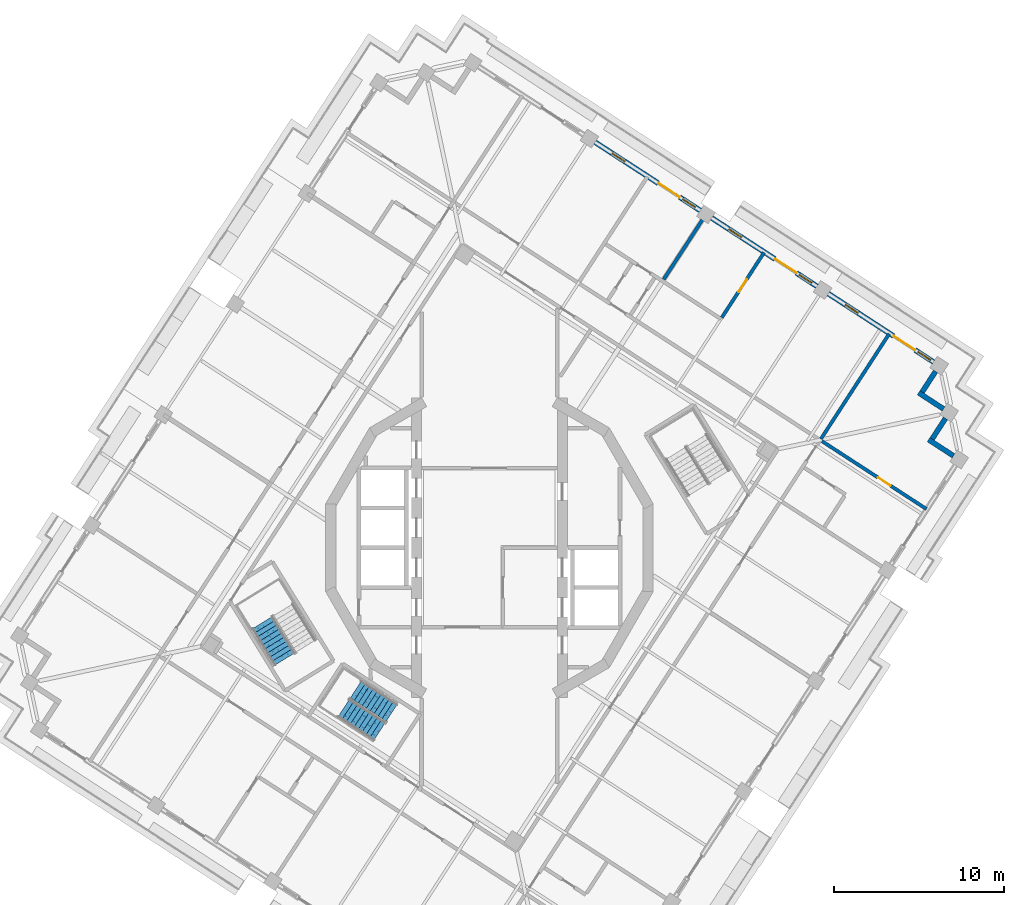
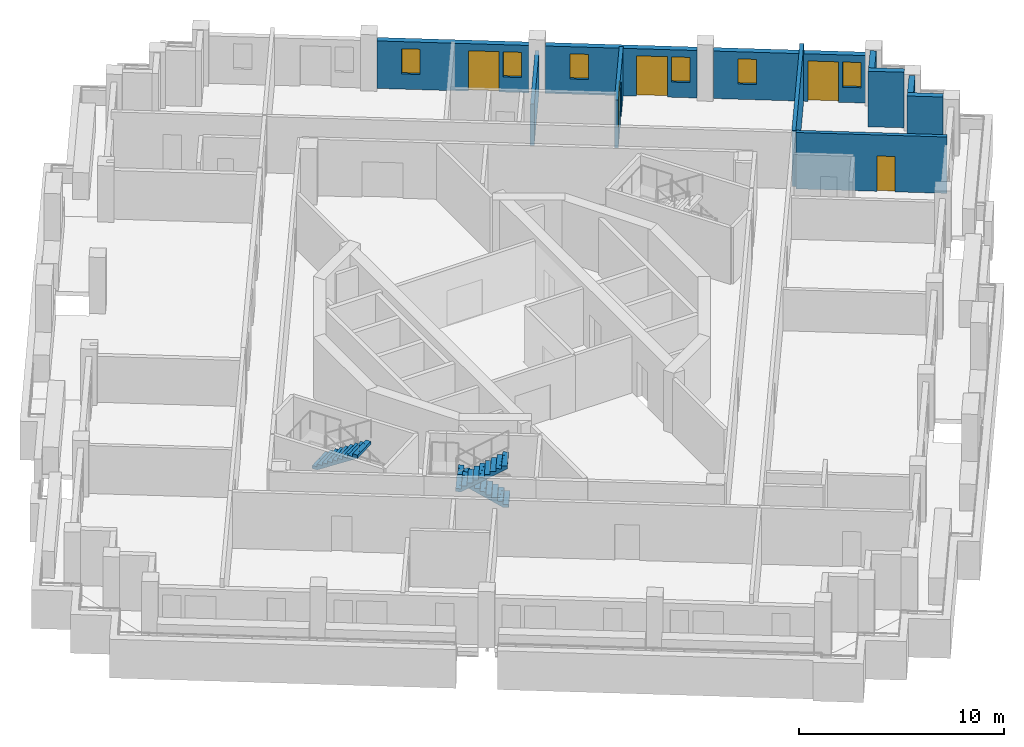
# One storey, part 9 of 15: 11 walls, 6 windows, 5 doors, 3 stair flights, 11 openings, 2 elements without a shape of their own.
"""IFC4 building model written with IfcOpenShell, lengths in metres."""

from ifc_helpers import new_model, si_unit, direction, frame, frame_2d, origin, place, context, subcontext, project, spatial, polyline, rectangle, outline, extrude, material, layer, layer_set, type_object, element, fill, aggregate, save


model = new_model("IFC4")

# Units and contexts
model_context = context("Model", 3, precision=1e-05, world=origin(), true_north=direction((0.0, 1.0)))
body_context = subcontext(model_context, "Body", "Model", "MODEL_VIEW")
ifc_project = project(units=[si_unit("LENGTHUNIT", "METRE"), si_unit("AREAUNIT", "SQUARE_METRE"), si_unit("VOLUMEUNIT", "CUBIC_METRE"), si_unit("PLANEANGLEUNIT", "RADIAN"), si_unit("MASSUNIT", "GRAM", prefix="KILO")], contexts=[model_context])

# Site, building, storey
site_placement = place(None, origin())
site = spatial("IfcSite", under=ifc_project, at=site_placement, CompositionType="ELEMENT")
building_placement = place(site_placement, origin())
building = spatial("IfcBuilding", under=site, at=building_placement, Name="Cantera Rosa Tower", CompositionType="ELEMENT")
storey_placement = place(building_placement, frame((0.0, 0.0, 282.89990234375)))
storey = spatial("IfcBuildingStorey", under=building, at=storey_placement, Name="L64", CompositionType="ELEMENT", Elevation=282.89990234375)

# Walls
ifc_material_1 = material(Name="Hollow clay masonry with cantera stone cladding", Category="masonry")
ifc_layer_1 = layer(ifc_material_1, 0.300048828125)
ifc_layer_set_1 = layer_set([ifc_layer_1], Name="EW-LOGGIA 300")
wall_type_1 = type_object("IfcWallType", Name="EW-LOGGIA 300", PredefinedType="SOLIDWALL", material=ifc_layer_set_1)
wall_1_placement = place(storey_placement, frame((27.36669921875, 5.41943359375, 0.0), z_axis=(0.0, 0.0, 1.0), x_axis=(-0.838685761837, 0.54461563776, 0.0)))
element("IfcWall", 1, at=wall_1_placement, inside=storey, type_object=wall_type_1, Name="EN-L64-W25a", PredefinedType="SOLIDWALL", context=body_context, shape_type="SweptSolid", body=[
    extrude(rectangle(XDim=1.75, YDim=0.300048828125, at=frame_2d((0.875, 0.0))), origin(), (0.0, 0.0, 1.0), 3.300048828125),
])
wall_2_placement = place(storey_placement, frame((26.1064453125, 6.41650390625, 0.0), z_axis=(0.0, 0.0, 1.0), x_axis=(0.54467465438, 0.838647435384, 0.0)))
element("IfcWall", 2, at=wall_2_placement, inside=storey, type_object=wall_type_1, Name="EN-L64-W25b", PredefinedType="SOLIDWALL", context=body_context, shape_type="SweptSolid", body=[
    extrude(rectangle(XDim=1.449951171875, YDim=0.300048828125, at=frame_2d((0.72509765625, 0.0))), origin(), (0.0, 0.0, 1.0), 3.300048828125),
])
wall_3_placement = place(storey_placement, frame((26.778564453125, 8.18603515625, 0.0), z_axis=(0.0, 0.0, 1.0), x_axis=(-0.838685761837, 0.54461563776, 0.0)))
element("IfcWall", 3, at=wall_3_placement, inside=storey, type_object=wall_type_1, Name="EN-L64-W26a", PredefinedType="SOLIDWALL", context=body_context, shape_type="SweptSolid", body=[
    extrude(rectangle(XDim=1.75, YDim=0.300048828125, at=frame_2d((0.875, 0.0))), origin(), (0.0, 0.0, 1.0), 3.300048828125),
])
wall_4_placement = place(storey_placement, frame((25.518310546875, 9.18310546875, 0.0), z_axis=(0.0, 0.0, 1.0), x_axis=(0.54467465438, 0.838647435384, 0.0)))
element("IfcWall", 4, at=wall_4_placement, inside=storey, type_object=wall_type_1, Name="EN-L64-W26b", PredefinedType="SOLIDWALL", context=body_context, shape_type="SweptSolid", body=[
    extrude(rectangle(XDim=1.449951171875, YDim=0.300048828125, at=frame_2d((0.72509765625, 0.0))), origin(), (0.0, 0.0, 1.0), 3.300048828125),
])

# Wall, openings, windows, door
ifc_material_2 = material(Name="Hollow clay masonry with cantera stone cladding", Category="masonry")
ifc_layer_2 = layer(ifc_material_2, 0.300048828125)
ifc_layer_set_2 = layer_set([ifc_layer_2], Name="EW-LOGGIA 300 H2820")
wall_type_2 = type_object("IfcWallType", Name="EW-LOGGIA 300 H2820", PredefinedType="SOLIDWALL", material=ifc_layer_set_2)
wall_5_placement = place(storey_placement, frame((26.1904296875, 10.95263671875, 0.0), z_axis=(0.0, 0.0, 1.0), x_axis=(-0.838669679097, 0.544640403719, 0.0)))
wall_5 = element("IfcWall", 5, at=wall_5_placement, inside=storey, type_object=wall_type_2, Name="EN-L64-W01", PredefinedType="SOLIDWALL", context=body_context, shape_type="SweptSolid", body=[
    extrude(rectangle(XDim=7.39990234375, YDim=0.300048828125, at=frame_2d((3.699951171875, 0.0))), origin(), (0.0, 0.0, 1.0), 2.820068359375),
])
opening_1_placement = place(wall_5_placement, frame((0.199951171875, 0.0, 0.89990234375)))
opening_1 = element("IfcOpeningElement", 6, at=opening_1_placement, cuts=wall_5, Name="Opening L64-W01", PredefinedType="OPENING", context=body_context, shape_type="SweptSolid", body=[
    extrude(rectangle(XDim=0.89990234375, YDim=1.5, at=frame_2d((0.449951171875, 0.75))), frame((0.0, 0.159912109375, 0.0), z_axis=(0.0, -1.0, 0.0), x_axis=(1.0, 0.0, 0.0)), (0.0, 0.0, 1.0), 0.320068359375),
])
opening_2_placement = place(wall_5_placement, frame((1.300048828125, 0.0, 0.0)))
opening_2 = element("IfcOpeningElement", 7, at=opening_2_placement, cuts=wall_5, Name="Opening L64-TD02", PredefinedType="OPENING", context=body_context, shape_type="SweptSolid", body=[
    extrude(rectangle(XDim=1.5, YDim=2.39990234375, at=frame_2d((0.75, 1.199951171875))), frame((0.0, 0.159912109375, 0.0), z_axis=(0.0, -1.0, 0.0), x_axis=(1.0, 0.0, 0.0)), (0.0, 0.0, 1.0), 0.320068359375),
])
opening_3_placement = place(wall_5_placement, frame((5.300048828125, 0.0, 0.89990234375)))
opening_3 = element("IfcOpeningElement", 8, at=opening_3_placement, cuts=wall_5, Name="Opening L64-W03", PredefinedType="OPENING", context=body_context, shape_type="SweptSolid", body=[
    extrude(rectangle(XDim=0.89990234375, YDim=1.5, at=frame_2d((0.449951171875, 0.75))), frame((0.0, 0.159912109375, 0.0), z_axis=(0.0, -1.0, 0.0), x_axis=(1.0, 0.0, 0.0)), (0.0, 0.0, 1.0), 0.320068359375),
])
ifc_material_3 = material(Name="Aluminium frame with clear glass", Category="aluminium")
window_type = type_object("IfcWindowType", Name="Residential window 900x1500", PartitioningType="SINGLE_PANEL", PredefinedType="WINDOW", material=ifc_material_3)
window_1_placement = place(opening_1_placement, origin())
window_1 = element("IfcWindow", 9, at=window_1_placement, inside=storey, type_object=window_type, Name="WINDOW L64-W01", OverallHeight=1.5, OverallWidth=0.89990234375, PartitioningType="SINGLE_PANEL", PredefinedType="WINDOW", context=body_context, shape_type="SweptSolid", body=[
    extrude(rectangle(XDim=0.89990234375, YDim=1.5, at=frame_2d((0.449951171875, 0.75))), frame((0.0, 0.030029296875, 0.0), z_axis=(0.0, -1.0, 0.0), x_axis=(1.0, 0.0, 0.0)), (0.0, 0.0, 1.0), 0.06005859375),
])
fill(opening_1, window_1)
window_2_placement = place(opening_3_placement, origin())
window_2 = element("IfcWindow", 10, at=window_2_placement, inside=storey, type_object=window_type, Name="WINDOW L64-W03", OverallHeight=1.5, OverallWidth=0.89990234375, PartitioningType="SINGLE_PANEL", PredefinedType="WINDOW", context=body_context, shape_type="SweptSolid", body=[
    extrude(rectangle(XDim=0.89990234375, YDim=1.5, at=frame_2d((0.449951171875, 0.75))), frame((0.0, 0.030029296875, 0.0), z_axis=(0.0, -1.0, 0.0), x_axis=(1.0, 0.0, 0.0)), (0.0, 0.0, 1.0), 0.06005859375),
])
fill(opening_3, window_2)
ifc_material_4 = material(Name="Aluminium frame with clear glass", Category="aluminium")
door_type_1 = type_object("IfcDoorType", Name="TD-R 1500x2400", OperationType="NOTDEFINED", PredefinedType="DOOR", material=ifc_material_4)
door_1_placement = place(opening_2_placement, origin())
door_1 = element("IfcDoor", 11, at=door_1_placement, inside=storey, type_object=door_type_1, Name="LOGGIA DOOR L64-TD02", OperationType="SLIDING_TO_LEFT", OverallHeight=2.39990234375, OverallWidth=1.5, PredefinedType="DOOR", context=body_context, shape_type="SweptSolid", body=[
    extrude(rectangle(XDim=1.5, YDim=2.39990234375, at=frame_2d((0.75, 1.199951171875))), frame((0.0, 0.02490234375, 0.0), z_axis=(0.0, -1.0, 0.0), x_axis=(1.0, 0.0, 0.0)), (0.0, 0.0, 1.0), 0.050048828125),
])
fill(opening_2, door_1)

wall_6_placement = place(storey_placement, frame((19.3134765625, 15.418701171875, 0.0), z_axis=(0.0, 0.0, 1.0), x_axis=(-0.838679465365, 0.544625333946, 0.0)))
wall_6 = element("IfcWall", 12, at=wall_6_placement, inside=storey, type_object=wall_type_2, Name="EN-L64-W02", PredefinedType="SOLIDWALL", context=body_context, shape_type="SweptSolid", body=[
    extrude(rectangle(XDim=7.400146484375, YDim=0.300048828125, at=frame_2d((3.7001953125, 0.0))), origin(), (0.0, 0.0, 1.0), 2.820068359375),
])
opening_4_placement = place(wall_6_placement, frame((0.35009765625, 0.0, 0.89990234375)))
opening_4 = element("IfcOpeningElement", 13, at=opening_4_placement, cuts=wall_6, Name="Opening L64-W04", PredefinedType="OPENING", context=body_context, shape_type="SweptSolid", body=[
    extrude(rectangle(XDim=0.89990234375, YDim=1.5, at=frame_2d((0.449951171875, 0.75))), frame((0.0, 0.159912109375, 0.0), z_axis=(0.0, -1.0, 0.0), x_axis=(1.0, 0.0, 0.0)), (0.0, 0.0, 1.0), 0.320068359375),
])
opening_5_placement = place(wall_6_placement, frame((1.449951171875, 0.0, 0.0)))
opening_5 = element("IfcOpeningElement", 14, at=opening_5_placement, cuts=wall_6, Name="Opening L64-TD05", PredefinedType="OPENING", context=body_context, shape_type="SweptSolid", body=[
    extrude(rectangle(XDim=1.5, YDim=2.39990234375, at=frame_2d((0.75, 1.199951171875))), frame((0.0, 0.159912109375, 0.0), z_axis=(0.0, -1.0, 0.0), x_axis=(1.0, 0.0, 0.0)), (0.0, 0.0, 1.0), 0.320068359375),
])
opening_6_placement = place(wall_6_placement, frame((5.300048828125, 0.0, 0.89990234375)))
opening_6 = element("IfcOpeningElement", 15, at=opening_6_placement, cuts=wall_6, Name="Opening L64-W06", PredefinedType="OPENING", context=body_context, shape_type="SweptSolid", body=[
    extrude(rectangle(XDim=0.89990234375, YDim=1.5, at=frame_2d((0.449951171875, 0.75))), frame((0.0, 0.159912109375, 0.0), z_axis=(0.0, -1.0, 0.0), x_axis=(1.0, 0.0, 0.0)), (0.0, 0.0, 1.0), 0.320068359375),
])
window_3_placement = place(opening_4_placement, origin())
window_3 = element("IfcWindow", 16, at=window_3_placement, inside=storey, type_object=window_type, Name="WINDOW L64-W04", OverallHeight=1.5, OverallWidth=0.89990234375, PartitioningType="SINGLE_PANEL", PredefinedType="WINDOW", context=body_context, shape_type="SweptSolid", body=[
    extrude(rectangle(XDim=0.89990234375, YDim=1.5, at=frame_2d((0.449951171875, 0.75))), frame((0.0, 0.030029296875, 0.0), z_axis=(0.0, -1.0, 0.0), x_axis=(1.0, 0.0, 0.0)), (0.0, 0.0, 1.0), 0.06005859375),
])
fill(opening_4, window_3)
window_4_placement = place(opening_6_placement, origin())
window_4 = element("IfcWindow", 17, at=window_4_placement, inside=storey, type_object=window_type, Name="WINDOW L64-W06", OverallHeight=1.5, OverallWidth=0.89990234375, PartitioningType="SINGLE_PANEL", PredefinedType="WINDOW", context=body_context, shape_type="SweptSolid", body=[
    extrude(rectangle(XDim=0.89990234375, YDim=1.5, at=frame_2d((0.449951171875, 0.75))), frame((0.0, 0.030029296875, 0.0), z_axis=(0.0, -1.0, 0.0), x_axis=(1.0, 0.0, 0.0)), (0.0, 0.0, 1.0), 0.06005859375),
])
fill(opening_6, window_4)
door_2_placement = place(opening_5_placement, origin())
door_2 = element("IfcDoor", 18, at=door_2_placement, inside=storey, type_object=door_type_1, Name="LOGGIA DOOR L64-TD05", OperationType="SLIDING_TO_LEFT", OverallHeight=2.39990234375, OverallWidth=1.5, PredefinedType="DOOR", context=body_context, shape_type="SweptSolid", body=[
    extrude(rectangle(XDim=1.5, YDim=2.39990234375, at=frame_2d((0.75, 1.199951171875))), frame((0.0, 0.02490234375, 0.0), z_axis=(0.0, -1.0, 0.0), x_axis=(1.0, 0.0, 0.0)), (0.0, 0.0, 1.0), 0.050048828125),
])
fill(opening_5, door_2)

wall_7_placement = place(storey_placement, frame((12.436279296875, 19.884765625, 0.0), z_axis=(0.0, 0.0, 1.0), x_axis=(-0.838669679097, 0.544640403719, 0.0)))
wall_7 = element("IfcWall", 19, at=wall_7_placement, inside=storey, type_object=wall_type_2, Name="EN-L64-W03", PredefinedType="SOLIDWALL", context=body_context, shape_type="SweptSolid", body=[
    extrude(rectangle(XDim=7.39990234375, YDim=0.300048828125, at=frame_2d((3.699951171875, 0.0))), origin(), (0.0, 0.0, 1.0), 2.820068359375),
])
opening_7_placement = place(wall_7_placement, frame((0.35009765625, 0.0, 0.89990234375)))
opening_7 = element("IfcOpeningElement", 20, at=opening_7_placement, cuts=wall_7, Name="Opening L64-W07", PredefinedType="OPENING", context=body_context, shape_type="SweptSolid", body=[
    extrude(rectangle(XDim=0.89990234375, YDim=1.5, at=frame_2d((0.449951171875, 0.75))), frame((0.0, 0.159912109375, 0.0), z_axis=(0.0, -1.0, 0.0), x_axis=(1.0, 0.0, 0.0)), (0.0, 0.0, 1.0), 0.320068359375),
])
opening_8_placement = place(wall_7_placement, frame((1.449951171875, 0.0, 0.0)))
opening_8 = element("IfcOpeningElement", 21, at=opening_8_placement, cuts=wall_7, Name="Opening L64-TD08", PredefinedType="OPENING", context=body_context, shape_type="SweptSolid", body=[
    extrude(rectangle(XDim=1.5, YDim=2.39990234375, at=frame_2d((0.75, 1.199951171875))), frame((0.0, 0.159912109375, 0.0), z_axis=(0.0, -1.0, 0.0), x_axis=(1.0, 0.0, 0.0)), (0.0, 0.0, 1.0), 0.320068359375),
])
opening_9_placement = place(wall_7_placement, frame((5.300048828125, 0.0, 0.89990234375)))
opening_9 = element("IfcOpeningElement", 22, at=opening_9_placement, cuts=wall_7, Name="Opening L64-W09", PredefinedType="OPENING", context=body_context, shape_type="SweptSolid", body=[
    extrude(rectangle(XDim=0.89990234375, YDim=1.5, at=frame_2d((0.449951171875, 0.75))), frame((0.0, 0.159912109375, 0.0), z_axis=(0.0, -1.0, 0.0), x_axis=(1.0, 0.0, 0.0)), (0.0, 0.0, 1.0), 0.320068359375),
])
window_5_placement = place(opening_7_placement, origin())
window_5 = element("IfcWindow", 23, at=window_5_placement, inside=storey, type_object=window_type, Name="WINDOW L64-W07", OverallHeight=1.5, OverallWidth=0.89990234375, PartitioningType="SINGLE_PANEL", PredefinedType="WINDOW", context=body_context, shape_type="SweptSolid", body=[
    extrude(rectangle(XDim=0.89990234375, YDim=1.5, at=frame_2d((0.449951171875, 0.75))), frame((0.0, 0.030029296875, 0.0), z_axis=(0.0, -1.0, 0.0), x_axis=(1.0, 0.0, 0.0)), (0.0, 0.0, 1.0), 0.06005859375),
])
fill(opening_7, window_5)
window_6_placement = place(opening_9_placement, origin())
window_6 = element("IfcWindow", 24, at=window_6_placement, inside=storey, type_object=window_type, Name="WINDOW L64-W09", OverallHeight=1.5, OverallWidth=0.89990234375, PartitioningType="SINGLE_PANEL", PredefinedType="WINDOW", context=body_context, shape_type="SweptSolid", body=[
    extrude(rectangle(XDim=0.89990234375, YDim=1.5, at=frame_2d((0.449951171875, 0.75))), frame((0.0, 0.030029296875, 0.0), z_axis=(0.0, -1.0, 0.0), x_axis=(1.0, 0.0, 0.0)), (0.0, 0.0, 1.0), 0.06005859375),
])
fill(opening_9, window_6)
door_3_placement = place(opening_8_placement, origin())
door_3 = element("IfcDoor", 25, at=door_3_placement, inside=storey, type_object=door_type_1, Name="LOGGIA DOOR L64-TD08", OperationType="SLIDING_TO_LEFT", OverallHeight=2.39990234375, OverallWidth=1.5, PredefinedType="DOOR", context=body_context, shape_type="SweptSolid", body=[
    extrude(rectangle(XDim=1.5, YDim=2.39990234375, at=frame_2d((0.75, 1.199951171875))), frame((0.0, 0.02490234375, 0.0), z_axis=(0.0, -1.0, 0.0), x_axis=(1.0, 0.0, 0.0)), (0.0, 0.0, 1.0), 0.050048828125),
])
fill(opening_8, door_3)

# Wall
ifc_material_5 = material(Name="Gypsum board partition")
ifc_layer_3 = layer(ifc_material_5, 0.199951171875)
ifc_layer_set_3 = layer_set([ifc_layer_3], Name="PARTITION 200 H2450")
wall_type_3 = type_object("IfcWallType", Name="PARTITION 200 H2450", PredefinedType="PARTITIONING", material=ifc_layer_set_3)
wall_8_placement = place(storey_placement, frame((12.75537109375, 19.6416015625, 0.0), z_axis=(0.0, 0.0, 1.0), x_axis=(-0.544629951314, -0.8386764669, 0.0)))
element("IfcWall", 26, at=wall_8_placement, inside=storey, type_object=wall_type_3, Name="PARTITION L64-074", PredefinedType="PARTITIONING", context=body_context, shape_type="SweptSolid", body=[
    extrude(rectangle(XDim=4.550048828125, YDim=0.199951171875, at=frame_2d((2.27490234375, 0.0))), origin(), (0.0, 0.0, 1.0), 2.4501953125),
])

# Wall, opening, door
ifc_material_6 = material(Name="Gypsum board partition")
ifc_layer_4 = layer(ifc_material_6, 0.199951171875)
ifc_layer_set_4 = layer_set([ifc_layer_4], Name="PARTITION 200 H2850")
wall_type_4 = type_object("IfcWallType", Name="PARTITION 200 H2850", PredefinedType="PARTITIONING", material=ifc_layer_set_4)
wall_9_placement = place(storey_placement, frame((16.194091796875, 17.40869140625, 0.0), z_axis=(0.0, 0.0, 1.0), x_axis=(-0.544637163551, -0.838671783285, 0.0)))
wall_9 = element("IfcWall", 27, at=wall_9_placement, inside=storey, type_object=wall_type_4, Name="PARTITION L64-081", PredefinedType="PARTITIONING", context=body_context, shape_type="SweptSolid", body=[
    extrude(rectangle(XDim=4.570068359375, YDim=0.199951171875, at=frame_2d((2.28515625, 0.0))), origin(), (0.0, 0.0, 1.0), 2.85009765625),
])
opening_10_placement = place(wall_9_placement, frame((1.8701171875, 0.0, 0.0)))
opening_10 = element("IfcOpeningElement", 28, at=opening_10_placement, cuts=wall_9, Name="Opening L64-022", PredefinedType="OPENING", context=body_context, shape_type="SweptSolid", body=[
    extrude(rectangle(XDim=0.89990234375, YDim=2.10009765625, at=frame_2d((0.449951171875, 1.050048828125))), frame((0.0, 0.10986328125, 0.0), z_axis=(0.0, -1.0, 0.0), x_axis=(1.0, 0.0, 0.0)), (0.0, 0.0, 1.0), 0.219970703125),
])
ifc_material_7 = material(Name="Timber door leaf", Category="wood")
door_type_2 = type_object("IfcDoorType", Name="ROOM DOOR 900x2100", OperationType="NOTDEFINED", PredefinedType="DOOR", material=ifc_material_7)
door_4_placement = place(opening_10_placement, origin())
door_4 = element("IfcDoor", 29, at=door_4_placement, inside=storey, type_object=door_type_2, Name="DOOR L64-022", OperationType="NOTDEFINED", OverallHeight=2.10009765625, OverallWidth=0.89990234375, PredefinedType="DOOR", context=body_context, shape_type="SweptSolid", body=[
    extrude(rectangle(XDim=0.89990234375, YDim=2.10009765625, at=frame_2d((0.449951171875, 1.050048828125))), frame((0.0, 0.02490234375, 0.0), z_axis=(0.0, -1.0, 0.0), x_axis=(1.0, 0.0, 0.0)), (0.0, 0.0, 1.0), 0.050048828125),
])
fill(opening_10, door_4)

ifc_material_8 = material(Name="Gypsum board partition")
ifc_layer_5 = layer(ifc_material_8, 0.199951171875)
ifc_layer_set_5 = layer_set([ifc_layer_5], Name="PARTITION 200 H3350")
wall_type_5 = type_object("IfcWallType", Name="PARTITION 200 H3350", PredefinedType="PARTITIONING", material=ifc_layer_set_5)
wall_10_placement = place(storey_placement, frame((25.770751953125, 2.282470703125, 0.0), z_axis=(0.0, 0.0, 1.0), x_axis=(-0.838668934217, 0.544641550729, 0.0)))
wall_10 = element("IfcWall", 30, at=wall_10_placement, inside=storey, type_object=wall_type_5, Name="PARTITION L64-089", PredefinedType="PARTITIONING", context=body_context, shape_type="SweptSolid", body=[
    extrude(rectangle(XDim=7.35009765625, YDim=0.199951171875, at=frame_2d((3.675048828125, 0.0))), origin(), (0.0, 0.0, 1.0), 3.35009765625),
])
opening_11_placement = place(wall_10_placement, frame((2.52001953125, 0.0, 0.0)))
opening_11 = element("IfcOpeningElement", 31, at=opening_11_placement, cuts=wall_10, Name="Opening L64-040", PredefinedType="OPENING", context=body_context, shape_type="SweptSolid", body=[
    extrude(rectangle(XDim=0.89990234375, YDim=2.10009765625, at=frame_2d((0.449951171875, 1.050048828125))), frame((0.0, 0.10986328125, 0.0), z_axis=(0.0, -1.0, 0.0), x_axis=(1.0, 0.0, 0.0)), (0.0, 0.0, 1.0), 0.219970703125),
])
door_5_placement = place(opening_11_placement, origin())
door_5 = element("IfcDoor", 32, at=door_5_placement, inside=storey, type_object=door_type_2, Name="DOOR L64-040", OperationType="NOTDEFINED", OverallHeight=2.10009765625, OverallWidth=0.89990234375, PredefinedType="DOOR", context=body_context, shape_type="SweptSolid", body=[
    extrude(rectangle(XDim=0.89990234375, YDim=2.10009765625, at=frame_2d((0.449951171875, 1.050048828125))), frame((0.0, 0.02490234375, 0.0), z_axis=(0.0, -1.0, 0.0), x_axis=(1.0, 0.0, 0.0)), (0.0, 0.0, 1.0), 0.050048828125),
])
fill(opening_11, door_5)

# Wall
ifc_material_9 = material(Name="Gypsum board partition")
ifc_layer_6 = layer(ifc_material_9, 0.199951171875)
ifc_layer_set_6 = layer_set([ifc_layer_6], Name="PARTY WALL 200 H3350")
wall_type_6 = type_object("IfcWallType", Name="PARTY WALL 200 H3350", PredefinedType="PARTITIONING", material=ifc_layer_set_6)
wall_11_placement = place(storey_placement, frame((23.57421875, 12.61572265625, 0.0), z_axis=(0.0, 0.0, 1.0), x_axis=(-0.544642261206, -0.838668472824, 0.0)))
element("IfcWall", 33, at=wall_11_placement, inside=storey, type_object=wall_type_6, Name="PARTY WALL L64-088", PredefinedType="PARTITIONING", context=body_context, shape_type="SweptSolid", body=[
    extrude(rectangle(XDim=7.389892578125, YDim=0.199951171875, at=frame_2d((3.69482421875, 0.0))), origin(), (0.0, 0.0, 1.0), 3.35009765625),
])

# Stair, stair flights
ifc_material_10 = material(Name="Concrete C35/45", Category="concrete")
stair_type_1 = type_object("IfcStairType", Name="EXIT STAIR 1200 DOGLEG", PredefinedType="HALF_TURN_STAIR", material=ifc_material_10)
stair_1_placement = place(storey_placement, origin())
stair_1 = element("IfcStair", 34, at=stair_1_placement, inside=storey, type_object=stair_type_1, Name="L64 ST-53", PredefinedType="HALF_TURN_STAIR")
ifc_material_11 = material(Name="Concrete C35/45", Category="concrete")
stair_flight_type_1 = type_object("IfcStairFlightType", Name="STAIR FLIGHT 1200 R20x180", PredefinedType="STRAIGHT", material=ifc_material_11)
stair_flight_1_placement = place(storey_placement, frame((-5.76318359375, -9.728271484375, 0.0), z_axis=(0.0, 0.0, 1.0), x_axis=(-0.838670567945, 0.544639035015, 0.0)))
stair_flight_1 = element("IfcStairFlight", 35, at=stair_flight_1_placement, type_object=stair_flight_type_1, Name="ST-53 flight 1", NumberOfRisers=10, NumberOfTreads=9, PredefinedType="STRAIGHT", RiserHeight=0.18, TreadLength=0.28, context=body_context, shape_type="SweptSolid", body=[
    extrude(outline(polyline([(0.0, 0.0), (0.0, 0.179931640625), (0.280029296875, 0.179931640625), (0.280029296875, 0.360107421875), (0.56005859375, 0.360107421875), (0.56005859375, 0.5400390625), (0.840087890625, 0.5400390625), (0.840087890625, 0.719970703125), (1.1201171875, 0.719970703125), (1.1201171875, 0.89990234375), (1.39990234375, 0.89990234375), (1.39990234375, 1.080078125), (1.679931640625, 1.080078125), (1.679931640625, 1.260009765625), (1.9599609375, 1.260009765625), (1.9599609375, 1.43994140625), (2.239990234375, 1.43994140625), (2.239990234375, 1.6201171875), (2.52001953125, 1.6201171875), (2.52001953125, 1.800048828125), (2.52001953125, 1.44189453125), (0.277099609375, 0.0), (0.0, 0.0)])), frame((0.0, 0.60009765625, 0.0), z_axis=(0.0, -1.0, 0.0), x_axis=(1.0, 0.0, 0.0)), (0.0, 0.0, 1.0), 0.298583984375),
    extrude(outline(polyline([(0.0, 0.0), (0.0, 0.179931640625), (0.280029296875, 0.179931640625), (0.280029296875, 0.360107421875), (0.56005859375, 0.360107421875), (0.56005859375, 0.5400390625), (0.840087890625, 0.5400390625), (0.840087890625, 0.719970703125), (1.1201171875, 0.719970703125), (1.1201171875, 0.89990234375), (1.39990234375, 0.89990234375), (1.39990234375, 1.080078125), (1.679931640625, 1.080078125), (1.679931640625, 1.260009765625), (1.9599609375, 1.260009765625), (1.9599609375, 1.43994140625), (2.239990234375, 1.43994140625), (2.239990234375, 1.6201171875), (2.52001953125, 1.6201171875), (2.52001953125, 1.800048828125), (2.52001953125, 1.44189453125), (0.277099609375, 0.0), (0.0, 0.0)])), frame((0.0, 0.29931640625, 0.0), z_axis=(0.0, -1.0, 0.0), x_axis=(1.0, 0.0, 0.0)), (0.0, 0.0, 1.0), 0.298583984375),
    extrude(outline(polyline([(0.0, 0.0), (0.0, 0.179931640625), (0.280029296875, 0.179931640625), (0.280029296875, 0.360107421875), (0.56005859375, 0.360107421875), (0.56005859375, 0.5400390625), (0.840087890625, 0.5400390625), (0.840087890625, 0.719970703125), (1.1201171875, 0.719970703125), (1.1201171875, 0.89990234375), (1.39990234375, 0.89990234375), (1.39990234375, 1.080078125), (1.679931640625, 1.080078125), (1.679931640625, 1.260009765625), (1.9599609375, 1.260009765625), (1.9599609375, 1.43994140625), (2.239990234375, 1.43994140625), (2.239990234375, 1.6201171875), (2.52001953125, 1.6201171875), (2.52001953125, 1.800048828125), (2.52001953125, 1.44189453125), (0.277099609375, 0.0), (0.0, 0.0)])), frame((0.0, -0.0009765625, 0.0), z_axis=(0.0, -1.0, 0.0), x_axis=(1.0, 0.0, 0.0)), (0.0, 0.0, 1.0), 0.298583984375),
    extrude(outline(polyline([(0.0, 0.0), (0.0, 0.179931640625), (0.280029296875, 0.179931640625), (0.280029296875, 0.360107421875), (0.56005859375, 0.360107421875), (0.56005859375, 0.5400390625), (0.840087890625, 0.5400390625), (0.840087890625, 0.719970703125), (1.1201171875, 0.719970703125), (1.1201171875, 0.89990234375), (1.39990234375, 0.89990234375), (1.39990234375, 1.080078125), (1.679931640625, 1.080078125), (1.679931640625, 1.260009765625), (1.9599609375, 1.260009765625), (1.9599609375, 1.43994140625), (2.239990234375, 1.43994140625), (2.239990234375, 1.6201171875), (2.52001953125, 1.6201171875), (2.52001953125, 1.800048828125), (2.52001953125, 1.44189453125), (0.277099609375, 0.0), (0.0, 0.0)])), frame((0.0, -0.3017578125, 0.0), z_axis=(0.0, -1.0, 0.0), x_axis=(1.0, 0.0, 0.0)), (0.0, 0.0, 1.0), 0.298583984375),
])
stair_flight_2_placement = place(storey_placement, frame((-8.61181640625, -9.488037109375, 1.800048828125), z_axis=(0.0, 0.0, 1.0), x_axis=(0.838670567945, -0.544639035015, 0.0)))
stair_flight_2 = element("IfcStairFlight", 36, at=stair_flight_2_placement, type_object=stair_flight_type_1, Name="ST-53 flight 2", NumberOfRisers=10, NumberOfTreads=9, PredefinedType="STRAIGHT", RiserHeight=0.18, TreadLength=0.28, context=body_context, shape_type="SweptSolid", body=[
    extrude(outline(polyline([(0.0, 0.0), (0.0, 0.179931640625), (0.280029296875, 0.179931640625), (0.280029296875, 0.360107421875), (0.56005859375, 0.360107421875), (0.56005859375, 0.5400390625), (0.840087890625, 0.5400390625), (0.840087890625, 0.719970703125), (1.1201171875, 0.719970703125), (1.1201171875, 0.89990234375), (1.39990234375, 0.89990234375), (1.39990234375, 1.080078125), (1.679931640625, 1.080078125), (1.679931640625, 1.260009765625), (1.9599609375, 1.260009765625), (1.9599609375, 1.43994140625), (2.239990234375, 1.43994140625), (2.239990234375, 1.6201171875), (2.52001953125, 1.6201171875), (2.52001953125, 1.800048828125), (2.52001953125, 1.44189453125), (0.277099609375, 0.0), (0.0, 0.0)])), frame((0.0, 0.60009765625, 0.0), z_axis=(0.0, -1.0, 0.0), x_axis=(1.0, 0.0, 0.0)), (0.0, 0.0, 1.0), 0.298583984375),
    extrude(outline(polyline([(0.0, 0.0), (0.0, 0.179931640625), (0.280029296875, 0.179931640625), (0.280029296875, 0.360107421875), (0.56005859375, 0.360107421875), (0.56005859375, 0.5400390625), (0.840087890625, 0.5400390625), (0.840087890625, 0.719970703125), (1.1201171875, 0.719970703125), (1.1201171875, 0.89990234375), (1.39990234375, 0.89990234375), (1.39990234375, 1.080078125), (1.679931640625, 1.080078125), (1.679931640625, 1.260009765625), (1.9599609375, 1.260009765625), (1.9599609375, 1.43994140625), (2.239990234375, 1.43994140625), (2.239990234375, 1.6201171875), (2.52001953125, 1.6201171875), (2.52001953125, 1.800048828125), (2.52001953125, 1.44189453125), (0.277099609375, 0.0), (0.0, 0.0)])), frame((0.0, 0.29931640625, 0.0), z_axis=(0.0, -1.0, 0.0), x_axis=(1.0, 0.0, 0.0)), (0.0, 0.0, 1.0), 0.298583984375),
    extrude(outline(polyline([(0.0, 0.0), (0.0, 0.179931640625), (0.280029296875, 0.179931640625), (0.280029296875, 0.360107421875), (0.56005859375, 0.360107421875), (0.56005859375, 0.5400390625), (0.840087890625, 0.5400390625), (0.840087890625, 0.719970703125), (1.1201171875, 0.719970703125), (1.1201171875, 0.89990234375), (1.39990234375, 0.89990234375), (1.39990234375, 1.080078125), (1.679931640625, 1.080078125), (1.679931640625, 1.260009765625), (1.9599609375, 1.260009765625), (1.9599609375, 1.43994140625), (2.239990234375, 1.43994140625), (2.239990234375, 1.6201171875), (2.52001953125, 1.6201171875), (2.52001953125, 1.800048828125), (2.52001953125, 1.44189453125), (0.277099609375, 0.0), (0.0, 0.0)])), frame((0.0, -0.0009765625, 0.0), z_axis=(0.0, -1.0, 0.0), x_axis=(1.0, 0.0, 0.0)), (0.0, 0.0, 1.0), 0.298583984375),
    extrude(outline(polyline([(0.0, 0.0), (0.0, 0.179931640625), (0.280029296875, 0.179931640625), (0.280029296875, 0.360107421875), (0.56005859375, 0.360107421875), (0.56005859375, 0.5400390625), (0.840087890625, 0.5400390625), (0.840087890625, 0.719970703125), (1.1201171875, 0.719970703125), (1.1201171875, 0.89990234375), (1.39990234375, 0.89990234375), (1.39990234375, 1.080078125), (1.679931640625, 1.080078125), (1.679931640625, 1.260009765625), (1.9599609375, 1.260009765625), (1.9599609375, 1.43994140625), (2.239990234375, 1.43994140625), (2.239990234375, 1.6201171875), (2.52001953125, 1.6201171875), (2.52001953125, 1.800048828125), (2.52001953125, 1.44189453125), (0.277099609375, 0.0), (0.0, 0.0)])), frame((0.0, -0.3017578125, 0.0), z_axis=(0.0, -1.0, 0.0), x_axis=(1.0, 0.0, 0.0)), (0.0, 0.0, 1.0), 0.298583984375),
])
aggregate(stair_1, [stair_flight_1, stair_flight_2])

# Stair, stair flight
ifc_material_12 = material(Name="Concrete C35/45", Category="concrete")
stair_type_2 = type_object("IfcStairType", Name="EXIT STAIR 1350 DOGLEG", PredefinedType="HALF_TURN_STAIR", material=ifc_material_12)
stair_2_placement = place(storey_placement, origin())
stair_2 = element("IfcStair", 37, at=stair_2_placement, inside=storey, type_object=stair_type_2, Name="L64 ST-52", PredefinedType="HALF_TURN_STAIR")
ifc_material_13 = material(Name="Concrete C35/45", Category="concrete")
stair_flight_type_2 = type_object("IfcStairFlightType", Name="STAIR FLIGHT 1350 R20x180", PredefinedType="STRAIGHT", material=ifc_material_13)
stair_flight_3_placement = place(storey_placement, frame((-13.42626953125, -4.4404296875, 1.800048828125), z_axis=(0.0, 0.0, 1.0), x_axis=(0.524976585286, -0.851116669383, 0.0)))
stair_flight_3 = element("IfcStairFlight", 38, at=stair_flight_3_placement, type_object=stair_flight_type_2, Name="ST-52 flight 2", NumberOfRisers=10, NumberOfTreads=9, PredefinedType="STRAIGHT", RiserHeight=0.18, TreadLength=0.28, context=body_context, shape_type="SweptSolid", body=[
    extrude(outline(polyline([(0.0, 0.0), (0.0, 0.179931640625), (0.280029296875, 0.179931640625), (0.280029296875, 0.360107421875), (0.56005859375, 0.360107421875), (0.56005859375, 0.5400390625), (0.840087890625, 0.5400390625), (0.840087890625, 0.719970703125), (1.1201171875, 0.719970703125), (1.1201171875, 0.89990234375), (1.39990234375, 0.89990234375), (1.39990234375, 1.080078125), (1.679931640625, 1.080078125), (1.679931640625, 1.260009765625), (1.9599609375, 1.260009765625), (1.9599609375, 1.43994140625), (2.239990234375, 1.43994140625), (2.239990234375, 1.6201171875), (2.52001953125, 1.6201171875), (2.52001953125, 1.800048828125), (2.52001953125, 1.44189453125), (0.277099609375, 0.0), (0.0, 0.0)])), frame((0.0, 0.675048828125, 0.0), z_axis=(0.0, -1.0, 0.0), x_axis=(1.0, 0.0, 0.0)), (0.0, 0.0, 1.0), 0.3359375),
    extrude(outline(polyline([(0.0, 0.0), (0.0, 0.179931640625), (0.280029296875, 0.179931640625), (0.280029296875, 0.360107421875), (0.56005859375, 0.360107421875), (0.56005859375, 0.5400390625), (0.840087890625, 0.5400390625), (0.840087890625, 0.719970703125), (1.1201171875, 0.719970703125), (1.1201171875, 0.89990234375), (1.39990234375, 0.89990234375), (1.39990234375, 1.080078125), (1.679931640625, 1.080078125), (1.679931640625, 1.260009765625), (1.9599609375, 1.260009765625), (1.9599609375, 1.43994140625), (2.239990234375, 1.43994140625), (2.239990234375, 1.6201171875), (2.52001953125, 1.6201171875), (2.52001953125, 1.800048828125), (2.52001953125, 1.44189453125), (0.277099609375, 0.0), (0.0, 0.0)])), frame((0.0, 0.337158203125, 0.0), z_axis=(0.0, -1.0, 0.0), x_axis=(1.0, 0.0, 0.0)), (0.0, 0.0, 1.0), 0.3359375),
    extrude(outline(polyline([(0.0, 0.0), (0.0, 0.179931640625), (0.280029296875, 0.179931640625), (0.280029296875, 0.360107421875), (0.56005859375, 0.360107421875), (0.56005859375, 0.5400390625), (0.840087890625, 0.5400390625), (0.840087890625, 0.719970703125), (1.1201171875, 0.719970703125), (1.1201171875, 0.89990234375), (1.39990234375, 0.89990234375), (1.39990234375, 1.080078125), (1.679931640625, 1.080078125), (1.679931640625, 1.260009765625), (1.9599609375, 1.260009765625), (1.9599609375, 1.43994140625), (2.239990234375, 1.43994140625), (2.239990234375, 1.6201171875), (2.52001953125, 1.6201171875), (2.52001953125, 1.800048828125), (2.52001953125, 1.44189453125), (0.277099609375, 0.0), (0.0, 0.0)])), frame((0.0, -0.000732421875, 0.0), z_axis=(0.0, -1.0, 0.0), x_axis=(1.0, 0.0, 0.0)), (0.0, 0.0, 1.0), 0.3359375),
    extrude(outline(polyline([(0.0, 0.0), (0.0, 0.179931640625), (0.280029296875, 0.179931640625), (0.280029296875, 0.360107421875), (0.56005859375, 0.360107421875), (0.56005859375, 0.5400390625), (0.840087890625, 0.5400390625), (0.840087890625, 0.719970703125), (1.1201171875, 0.719970703125), (1.1201171875, 0.89990234375), (1.39990234375, 0.89990234375), (1.39990234375, 1.080078125), (1.679931640625, 1.080078125), (1.679931640625, 1.260009765625), (1.9599609375, 1.260009765625), (1.9599609375, 1.43994140625), (2.239990234375, 1.43994140625), (2.239990234375, 1.6201171875), (2.52001953125, 1.6201171875), (2.52001953125, 1.800048828125), (2.52001953125, 1.44189453125), (0.277099609375, 0.0), (0.0, 0.0)])), frame((0.0, -0.338623046875, 0.0), z_axis=(0.0, -1.0, 0.0), x_axis=(1.0, 0.0, 0.0)), (0.0, 0.0, 1.0), 0.3359375),
])
aggregate(stair_2, [stair_flight_3])

save(model, "model.ifc")
